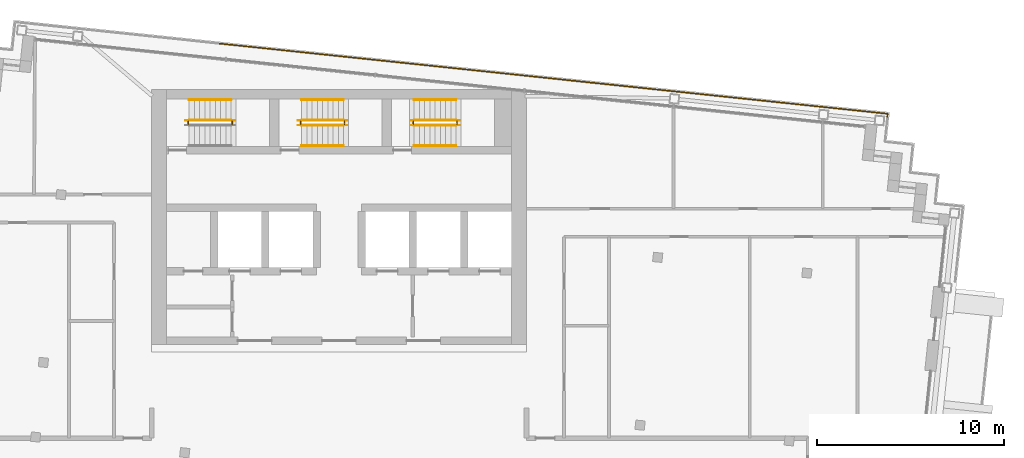
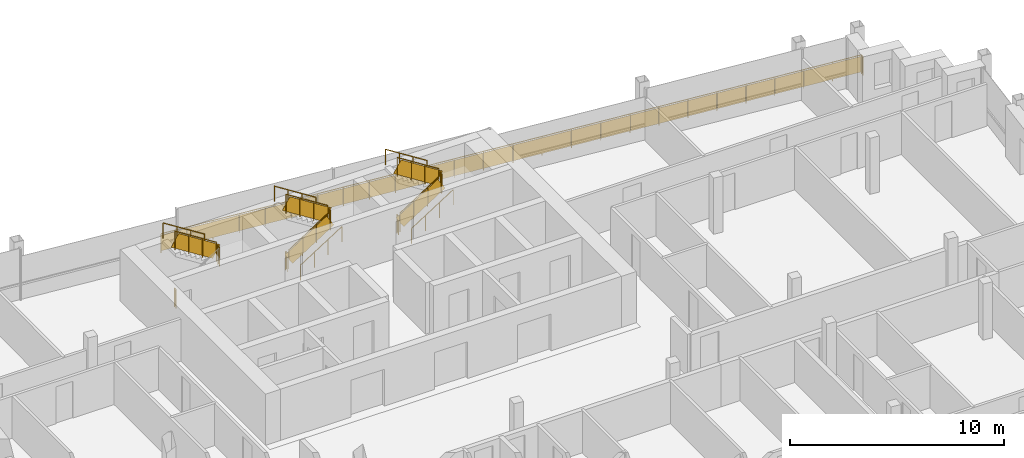
# One storey, part 16 of 17: 19 railings.
"""IFC4 building model written with IfcOpenShell, lengths in metres."""

from ifc_helpers import new_model, si_unit, direction, frame, origin, origin_2d, place, context, subcontext, project, spatial, rectangle, circle, extrude, material, type_object, element, save


model = new_model("IFC4")

# Units and contexts
model_context = context("Model", 3, precision=1e-05, world=origin(), true_north=direction((0.0, 1.0)))
body_context = subcontext(model_context, "Body", "Model", "MODEL_VIEW")
ifc_project = project(units=[si_unit("LENGTHUNIT", "METRE"), si_unit("AREAUNIT", "SQUARE_METRE"), si_unit("VOLUMEUNIT", "CUBIC_METRE"), si_unit("PLANEANGLEUNIT", "RADIAN"), si_unit("MASSUNIT", "GRAM", prefix="KILO")], contexts=[model_context])

# Site, building, storey
site_placement = place(None, origin())
site = spatial("IfcSite", under=ifc_project, at=site_placement, CompositionType="ELEMENT")
building_placement = place(site_placement, origin())
building = spatial("IfcBuilding", under=site, at=building_placement, Name="Vidyagriha Tower", CompositionType="ELEMENT")
storey_placement = place(building_placement, frame((0.0, 0.0, 262.699951171875)))
storey = spatial("IfcBuildingStorey", under=building, at=storey_placement, Name="L68", CompositionType="ELEMENT", Elevation=262.699951171875)

# Railings
ifc_material_1 = material(Name="Steel ASTM A500 Grade C black painted", Category="steel")
railing_type_1 = type_object("IfcRailingType", Name="Gallery guard 1100", PredefinedType="GUARDRAIL", material=ifc_material_1)
railing_1_placement = place(storey_placement, frame((-6.382080078125, 22.45068359375, 0.0)))
element("IfcRailing", 1, at=railing_1_placement, inside=storey, type_object=railing_type_1, Name="Gallery guard L68 6", PredefinedType="GUARDRAIL", context=body_context, shape_type="SweptSolid", body=[
    extrude(circle(Radius=0.02490234375, at=origin_2d()), frame((0.0, 0.0, 1.0751953125), z_axis=(0.994523609071, -0.104512157188, 0.0), x_axis=(0.104512157188, 0.994523609071, 0.0)), (0.0, 0.0, 1.0), 12.0),
    extrude(circle(Radius=0.02001953125, at=origin_2d()), origin(), (0.0, 0.0, 1.0), 1.050048828125),
    extrude(circle(Radius=0.02001953125, at=origin_2d()), frame((1.325927734375, -0.139404296875, 0.0)), (0.0, 0.0, 1.0), 1.050048828125),
    extrude(circle(Radius=0.02001953125, at=origin_2d()), frame((2.652099609375, -0.27880859375, 0.0)), (0.0, 0.0, 1.0), 1.050048828125),
    extrude(circle(Radius=0.02001953125, at=origin_2d()), frame((3.97802734375, -0.41796875, 0.0)), (0.0, 0.0, 1.0), 1.050048828125),
    extrude(circle(Radius=0.02001953125, at=origin_2d()), frame((5.30419921875, -0.557373046875, 0.0)), (0.0, 0.0, 1.0), 1.050048828125),
    extrude(circle(Radius=0.02001953125, at=origin_2d()), frame((6.630126953125, -0.69677734375, 0.0)), (0.0, 0.0, 1.0), 1.050048828125),
    extrude(circle(Radius=0.02001953125, at=origin_2d()), frame((7.956298828125, -0.836181640625, 0.0)), (0.0, 0.0, 1.0), 1.050048828125),
    extrude(circle(Radius=0.02001953125, at=origin_2d()), frame((9.2822265625, -0.975341796875, 0.0)), (0.0, 0.0, 1.0), 1.050048828125),
    extrude(circle(Radius=0.02001953125, at=origin_2d()), frame((10.6083984375, -1.11474609375, 0.0)), (0.0, 0.0, 1.0), 1.050048828125),
    extrude(circle(Radius=0.02001953125, at=origin_2d()), frame((11.934326171875, -1.254150390625, 0.0)), (0.0, 0.0, 1.0), 1.050048828125),
    extrude(rectangle(XDim=0.010009765625, YDim=0.900146484375, at=origin_2d()), frame((0.0, 0.0, 0.550048828125), z_axis=(0.994523609071, -0.104512157188, 0.0), x_axis=(0.104512157188, 0.994523609071, 0.0)), (0.0, 0.0, 1.0), 12.0),
])
railing_2_placement = place(storey_placement, frame((5.55224609375, 21.196533203125, 0.0)))
element("IfcRailing", 2, at=railing_2_placement, inside=storey, type_object=railing_type_1, Name="Gallery guard L68 7", PredefinedType="GUARDRAIL", context=body_context, shape_type="SweptSolid", body=[
    extrude(circle(Radius=0.02490234375, at=origin_2d()), frame((0.0, 0.0, 1.0751953125), z_axis=(0.994521271903, -0.104534394972, 0.0), x_axis=(0.104534394972, 0.994521271903, 0.0)), (0.0, 0.0, 1.0), 11.999755859375),
    extrude(circle(Radius=0.02001953125, at=origin_2d()), origin(), (0.0, 0.0, 1.0), 1.050048828125),
    extrude(circle(Radius=0.02001953125, at=origin_2d()), frame((1.49169921875, -0.15673828125, 0.0)), (0.0, 0.0, 1.0), 1.050048828125),
    extrude(circle(Radius=0.02001953125, at=origin_2d()), frame((2.9833984375, -0.3134765625, 0.0)), (0.0, 0.0, 1.0), 1.050048828125),
    extrude(circle(Radius=0.02001953125, at=origin_2d()), frame((4.475341796875, -0.470458984375, 0.0)), (0.0, 0.0, 1.0), 1.050048828125),
    extrude(circle(Radius=0.02001953125, at=origin_2d()), frame((5.967041015625, -0.627197265625, 0.0)), (0.0, 0.0, 1.0), 1.050048828125),
    extrude(circle(Radius=0.02001953125, at=origin_2d()), frame((7.458740234375, -0.783935546875, 0.0)), (0.0, 0.0, 1.0), 1.050048828125),
    extrude(circle(Radius=0.02001953125, at=origin_2d()), frame((8.95068359375, -0.94091796875, 0.0)), (0.0, 0.0, 1.0), 1.050048828125),
    extrude(circle(Radius=0.02001953125, at=origin_2d()), frame((10.4423828125, -1.09765625, 0.0)), (0.0, 0.0, 1.0), 1.050048828125),
    extrude(circle(Radius=0.02001953125, at=origin_2d()), frame((11.93408203125, -1.25439453125, 0.0)), (0.0, 0.0, 1.0), 1.050048828125),
    extrude(rectangle(XDim=0.010009765625, YDim=0.900146484375, at=origin_2d()), frame((0.0, 0.0, 0.550048828125), z_axis=(0.994521271903, -0.104534394972, 0.0), x_axis=(0.104534394972, 0.994521271903, 0.0)), (0.0, 0.0, 1.0), 11.999755859375),
])
railing_3_placement = place(storey_placement, frame((17.486328125, 19.942138671875, 0.0)))
element("IfcRailing", 3, at=railing_3_placement, inside=storey, type_object=railing_type_1, Name="Gallery guard L68 8", PredefinedType="GUARDRAIL", context=body_context, shape_type="SweptSolid", body=[
    extrude(circle(Radius=0.02490234375, at=origin_2d()), frame((0.0, 0.0, 1.0751953125), z_axis=(0.994522500633, -0.104522704396, 0.0), x_axis=(0.104522704396, 0.994522500633, 0.0)), (0.0, 0.0, 1.0), 11.840087890625),
    extrude(circle(Radius=0.02490234375, at=origin_2d()), frame((11.775146484375, -1.237548828125, 1.0751953125), z_axis=(-0.105240535143, -0.994446795843, 0.0), x_axis=(0.994446795843, -0.105240535143, 0.0)), (0.0, 0.0, 1.0), 0.16015625),
    extrude(circle(Radius=0.02001953125, at=origin_2d()), origin(), (0.0, 0.0, 1.0), 1.050048828125),
    extrude(circle(Radius=0.02001953125, at=origin_2d()), frame((1.471923828125, -0.15478515625, 0.0)), (0.0, 0.0, 1.0), 1.050048828125),
    extrude(circle(Radius=0.02001953125, at=origin_2d()), frame((2.94384765625, -0.309326171875, 0.0)), (0.0, 0.0, 1.0), 1.050048828125),
    extrude(circle(Radius=0.02001953125, at=origin_2d()), frame((4.415771484375, -0.464111328125, 0.0)), (0.0, 0.0, 1.0), 1.050048828125),
    extrude(circle(Radius=0.02001953125, at=origin_2d()), frame((5.8876953125, -0.61865234375, 0.0)), (0.0, 0.0, 1.0), 1.050048828125),
    extrude(circle(Radius=0.02001953125, at=origin_2d()), frame((7.359375, -0.7734375, 0.0)), (0.0, 0.0, 1.0), 1.050048828125),
    extrude(circle(Radius=0.02001953125, at=origin_2d()), frame((8.831298828125, -0.92822265625, 0.0)), (0.0, 0.0, 1.0), 1.050048828125),
    extrude(circle(Radius=0.02001953125, at=origin_2d()), frame((10.30322265625, -1.082763671875, 0.0)), (0.0, 0.0, 1.0), 1.050048828125),
    extrude(circle(Radius=0.02001953125, at=origin_2d()), frame((11.775146484375, -1.237548828125, 0.0)), (0.0, 0.0, 1.0), 1.050048828125),
    extrude(circle(Radius=0.02001953125, at=origin_2d()), frame((11.75830078125, -1.396728515625, 0.0)), (0.0, 0.0, 1.0), 1.050048828125),
    extrude(rectangle(XDim=0.010009765625, YDim=0.900146484375, at=origin_2d()), frame((0.0, 0.0, 0.550048828125), z_axis=(0.994522500633, -0.104522704396, 0.0), x_axis=(0.104522704396, 0.994522500633, 0.0)), (0.0, 0.0, 1.0), 11.840087890625),
    extrude(rectangle(XDim=0.010009765625, YDim=0.900146484375, at=origin_2d()), frame((11.775146484375, -1.237548828125, 0.550048828125), z_axis=(-0.105240535143, -0.994446795843, 0.0), x_axis=(0.994446795843, -0.105240535143, 0.0)), (0.0, 0.0, 1.0), 0.16015625),
])
ifc_material_2 = material(Name="Steel ASTM A500 Grade C", Category="steel")
railing_type_2 = type_object("IfcRailingType", Name="Stair guard 1100 mm, steel balustrade", PredefinedType="GUARDRAIL", material=ifc_material_2)
railing_4_placement = place(storey_placement, frame((-5.7099609375, 18.14990234375, 1.60009765625)))
element("IfcRailing", 4, at=railing_4_placement, inside=storey, type_object=railing_type_2, Name="L68 ST1 stair guard 2", PredefinedType="GUARDRAIL", context=body_context, shape_type="SweptSolid", body=[
    extrude(circle(Radius=0.02392578125, at=origin_2d()), frame((0.0, 0.0, 1.076171875), z_axis=(0.0, 1.0, 0.0), x_axis=(-1.0, 0.0, 0.0)), (0.0, 0.0, 1.0), 0.150146484375),
    extrude(circle(Radius=0.02099609375, at=origin_2d()), origin(), (0.0, 0.0, 1.0), 1.052001953125),
    extrude(circle(Radius=0.02099609375, at=origin_2d()), frame((0.0, 0.150146484375, 0.0)), (0.0, 0.0, 1.0), 1.052001953125),
    extrude(rectangle(XDim=0.010009765625, YDim=0.902099609375, at=origin_2d()), frame((0.0, 0.0, 0.551025390625), z_axis=(0.0, 1.0, 0.0), x_axis=(-1.0, 0.0, 0.0)), (0.0, 0.0, 1.0), 0.150146484375),
])
railing_5_placement = place(storey_placement, frame((-5.760009765625, 18.35009765625, 1.77783203125)))
element("IfcRailing", 5, at=railing_5_placement, inside=storey, type_object=railing_type_2, Name="L68 ST1 stair guard 3", PredefinedType="GUARDRAIL", context=body_context, shape_type="SweptSolid", body=[
    extrude(circle(Radius=0.02392578125, at=origin_2d()), frame((0.0, 0.0, 1.076171875), z_axis=(-0.8442293374, 0.0, 0.53598211339), x_axis=(0.0, -1.0, 0.0)), (0.0, 0.0, 1.0), 2.6533203125),
    extrude(circle(Radius=0.02099609375, at=origin_2d()), origin(), (0.0, 0.0, 1.0), 1.052001953125),
    extrude(circle(Radius=0.02099609375, at=origin_2d()), frame((-0.74658203125, 0.0, 0.47412109375)), (0.0, 0.0, 1.0), 1.052001953125),
    extrude(circle(Radius=0.02099609375, at=origin_2d()), frame((-1.493408203125, 0.0, 0.947998046875)), (0.0, 0.0, 1.0), 1.052001953125),
    extrude(circle(Radius=0.02099609375, at=origin_2d()), frame((-2.239990234375, 0.0, 1.422119140625)), (0.0, 0.0, 1.0), 1.052001953125),
    extrude(rectangle(XDim=0.010009765625, YDim=0.761474609375, at=origin_2d()), frame((0.0, 0.0, 0.551025390625), z_axis=(-0.8442293374, 0.0, 0.53598211339), x_axis=(0.0, -1.0, 0.0)), (0.0, 0.0, 1.0), 2.6533203125),
])
railing_6_placement = place(storey_placement, frame((-8.050048828125, 18.14990234375, 0.0)))
element("IfcRailing", 6, at=railing_6_placement, inside=storey, type_object=railing_type_2, Name="L68 ST1 stair guard 4", PredefinedType="GUARDRAIL", context=body_context, shape_type="SweptSolid", body=[
    extrude(circle(Radius=0.02392578125, at=origin_2d()), frame((0.0, 0.0, 1.076171875), z_axis=(0.0, 1.0, 0.0), x_axis=(-1.0, 0.0, 0.0)), (0.0, 0.0, 1.0), 0.150146484375),
    extrude(circle(Radius=0.02099609375, at=origin_2d()), origin(), (0.0, 0.0, 1.0), 1.052001953125),
    extrude(circle(Radius=0.02099609375, at=origin_2d()), frame((0.0, 0.150146484375, 0.0)), (0.0, 0.0, 1.0), 1.052001953125),
    extrude(rectangle(XDim=0.010009765625, YDim=0.902099609375, at=origin_2d()), frame((0.0, 0.0, 0.551025390625), z_axis=(0.0, 1.0, 0.0), x_axis=(-1.0, 0.0, 0.0)), (0.0, 0.0, 1.0), 0.150146484375),
])
railing_7_placement = place(storey_placement, frame((-2.0, 18.10009765625, 0.177734375)))
element("IfcRailing", 7, at=railing_7_placement, inside=storey, type_object=railing_type_2, Name="L68 ST2 stair guard 1", PredefinedType="GUARDRAIL", context=body_context, shape_type="SweptSolid", body=[
    extrude(circle(Radius=0.02392578125, at=origin_2d()), frame((0.0, 0.0, 1.076171875), z_axis=(0.84418770128, 0.0, 0.536047689118), x_axis=(0.0, 1.0, 0.0)), (0.0, 0.0, 1.0), 2.6533203125),
    extrude(circle(Radius=0.02099609375, at=origin_2d()), origin(), (0.0, 0.0, 1.0), 1.052001953125),
    extrude(circle(Radius=0.02099609375, at=origin_2d()), frame((0.74658203125, 0.0, 0.47412109375)), (0.0, 0.0, 1.0), 1.052001953125),
    extrude(circle(Radius=0.02099609375, at=origin_2d()), frame((1.493408203125, 0.0, 0.9482421875)), (0.0, 0.0, 1.0), 1.052001953125),
    extrude(circle(Radius=0.02099609375, at=origin_2d()), frame((2.239990234375, 0.0, 1.42236328125)), (0.0, 0.0, 1.0), 1.052001953125),
    extrude(rectangle(XDim=0.010009765625, YDim=0.761474609375, at=origin_2d()), frame((0.0, 0.0, 0.551025390625), z_axis=(0.84418770128, 0.0, 0.536047689118), x_axis=(0.0, 1.0, 0.0)), (0.0, 0.0, 1.0), 2.6533203125),
])
railing_8_placement = place(storey_placement, frame((0.2900390625, 18.14990234375, 1.60009765625)))
element("IfcRailing", 8, at=railing_8_placement, inside=storey, type_object=railing_type_2, Name="L68 ST2 stair guard 2", PredefinedType="GUARDRAIL", context=body_context, shape_type="SweptSolid", body=[
    extrude(circle(Radius=0.02392578125, at=origin_2d()), frame((0.0, 0.0, 1.076171875), z_axis=(0.0, 1.0, 0.0), x_axis=(-1.0, 0.0, 0.0)), (0.0, 0.0, 1.0), 0.150146484375),
    extrude(circle(Radius=0.02099609375, at=origin_2d()), origin(), (0.0, 0.0, 1.0), 1.052001953125),
    extrude(circle(Radius=0.02099609375, at=origin_2d()), frame((0.0, 0.150146484375, 0.0)), (0.0, 0.0, 1.0), 1.052001953125),
    extrude(rectangle(XDim=0.010009765625, YDim=0.902099609375, at=origin_2d()), frame((0.0, 0.0, 0.551025390625), z_axis=(0.0, 1.0, 0.0), x_axis=(-1.0, 0.0, 0.0)), (0.0, 0.0, 1.0), 0.150146484375),
])
railing_9_placement = place(storey_placement, frame((0.239990234375, 18.35009765625, 1.77783203125)))
element("IfcRailing", 9, at=railing_9_placement, inside=storey, type_object=railing_type_2, Name="L68 ST2 stair guard 3", PredefinedType="GUARDRAIL", context=body_context, shape_type="SweptSolid", body=[
    extrude(circle(Radius=0.02392578125, at=origin_2d()), frame((0.0, 0.0, 1.076171875), z_axis=(-0.8442293374, 0.0, 0.53598211339), x_axis=(0.0, -1.0, 0.0)), (0.0, 0.0, 1.0), 2.6533203125),
    extrude(circle(Radius=0.02099609375, at=origin_2d()), origin(), (0.0, 0.0, 1.0), 1.052001953125),
    extrude(circle(Radius=0.02099609375, at=origin_2d()), frame((-0.74658203125, 0.0, 0.47412109375)), (0.0, 0.0, 1.0), 1.052001953125),
    extrude(circle(Radius=0.02099609375, at=origin_2d()), frame((-1.493408203125, 0.0, 0.947998046875)), (0.0, 0.0, 1.0), 1.052001953125),
    extrude(circle(Radius=0.02099609375, at=origin_2d()), frame((-2.239990234375, 0.0, 1.422119140625)), (0.0, 0.0, 1.0), 1.052001953125),
    extrude(rectangle(XDim=0.010009765625, YDim=0.761474609375, at=origin_2d()), frame((0.0, 0.0, 0.551025390625), z_axis=(-0.8442293374, 0.0, 0.53598211339), x_axis=(0.0, -1.0, 0.0)), (0.0, 0.0, 1.0), 2.6533203125),
])
railing_10_placement = place(storey_placement, frame((-2.050048828125, 18.14990234375, 0.0)))
element("IfcRailing", 10, at=railing_10_placement, inside=storey, type_object=railing_type_2, Name="L68 ST2 stair guard 4", PredefinedType="GUARDRAIL", context=body_context, shape_type="SweptSolid", body=[
    extrude(circle(Radius=0.02392578125, at=origin_2d()), frame((0.0, 0.0, 1.076171875), z_axis=(0.0, 1.0, 0.0), x_axis=(-1.0, 0.0, 0.0)), (0.0, 0.0, 1.0), 0.150146484375),
    extrude(circle(Radius=0.02099609375, at=origin_2d()), origin(), (0.0, 0.0, 1.0), 1.052001953125),
    extrude(circle(Radius=0.02099609375, at=origin_2d()), frame((0.0, 0.150146484375, 0.0)), (0.0, 0.0, 1.0), 1.052001953125),
    extrude(rectangle(XDim=0.010009765625, YDim=0.902099609375, at=origin_2d()), frame((0.0, 0.0, 0.551025390625), z_axis=(0.0, 1.0, 0.0), x_axis=(-1.0, 0.0, 0.0)), (0.0, 0.0, 1.0), 0.150146484375),
])
railing_11_placement = place(storey_placement, frame((4.0, 18.10009765625, 0.177734375)))
element("IfcRailing", 11, at=railing_11_placement, inside=storey, type_object=railing_type_2, Name="L68 ST3 stair guard 1", PredefinedType="GUARDRAIL", context=body_context, shape_type="SweptSolid", body=[
    extrude(circle(Radius=0.02392578125, at=origin_2d()), frame((0.0, 0.0, 1.076171875), z_axis=(0.84418770128, 0.0, 0.536047689118), x_axis=(0.0, 1.0, 0.0)), (0.0, 0.0, 1.0), 2.6533203125),
    extrude(circle(Radius=0.02099609375, at=origin_2d()), origin(), (0.0, 0.0, 1.0), 1.052001953125),
    extrude(circle(Radius=0.02099609375, at=origin_2d()), frame((0.74658203125, 0.0, 0.47412109375)), (0.0, 0.0, 1.0), 1.052001953125),
    extrude(circle(Radius=0.02099609375, at=origin_2d()), frame((1.493408203125, 0.0, 0.9482421875)), (0.0, 0.0, 1.0), 1.052001953125),
    extrude(circle(Radius=0.02099609375, at=origin_2d()), frame((2.239990234375, 0.0, 1.42236328125)), (0.0, 0.0, 1.0), 1.052001953125),
    extrude(rectangle(XDim=0.010009765625, YDim=0.761474609375, at=origin_2d()), frame((0.0, 0.0, 0.551025390625), z_axis=(0.84418770128, 0.0, 0.536047689118), x_axis=(0.0, 1.0, 0.0)), (0.0, 0.0, 1.0), 2.6533203125),
])
railing_12_placement = place(storey_placement, frame((6.2900390625, 18.14990234375, 1.60009765625)))
element("IfcRailing", 12, at=railing_12_placement, inside=storey, type_object=railing_type_2, Name="L68 ST3 stair guard 2", PredefinedType="GUARDRAIL", context=body_context, shape_type="SweptSolid", body=[
    extrude(circle(Radius=0.02392578125, at=origin_2d()), frame((0.0, 0.0, 1.076171875), z_axis=(0.0, 1.0, 0.0), x_axis=(-1.0, 0.0, 0.0)), (0.0, 0.0, 1.0), 0.150146484375),
    extrude(circle(Radius=0.02099609375, at=origin_2d()), origin(), (0.0, 0.0, 1.0), 1.052001953125),
    extrude(circle(Radius=0.02099609375, at=origin_2d()), frame((0.0, 0.150146484375, 0.0)), (0.0, 0.0, 1.0), 1.052001953125),
    extrude(rectangle(XDim=0.010009765625, YDim=0.902099609375, at=origin_2d()), frame((0.0, 0.0, 0.551025390625), z_axis=(0.0, 1.0, 0.0), x_axis=(-1.0, 0.0, 0.0)), (0.0, 0.0, 1.0), 0.150146484375),
])
railing_13_placement = place(storey_placement, frame((6.239990234375, 18.35009765625, 1.77783203125)))
element("IfcRailing", 13, at=railing_13_placement, inside=storey, type_object=railing_type_2, Name="L68 ST3 stair guard 3", PredefinedType="GUARDRAIL", context=body_context, shape_type="SweptSolid", body=[
    extrude(circle(Radius=0.02392578125, at=origin_2d()), frame((0.0, 0.0, 1.076171875), z_axis=(-0.8442293374, 0.0, 0.53598211339), x_axis=(0.0, -1.0, 0.0)), (0.0, 0.0, 1.0), 2.6533203125),
    extrude(circle(Radius=0.02099609375, at=origin_2d()), origin(), (0.0, 0.0, 1.0), 1.052001953125),
    extrude(circle(Radius=0.02099609375, at=origin_2d()), frame((-0.74658203125, 0.0, 0.47412109375)), (0.0, 0.0, 1.0), 1.052001953125),
    extrude(circle(Radius=0.02099609375, at=origin_2d()), frame((-1.493408203125, 0.0, 0.947998046875)), (0.0, 0.0, 1.0), 1.052001953125),
    extrude(circle(Radius=0.02099609375, at=origin_2d()), frame((-2.239990234375, 0.0, 1.422119140625)), (0.0, 0.0, 1.0), 1.052001953125),
    extrude(rectangle(XDim=0.010009765625, YDim=0.761474609375, at=origin_2d()), frame((0.0, 0.0, 0.551025390625), z_axis=(-0.8442293374, 0.0, 0.53598211339), x_axis=(0.0, -1.0, 0.0)), (0.0, 0.0, 1.0), 2.6533203125),
])
railing_14_placement = place(storey_placement, frame((3.949951171875, 18.14990234375, 0.0)))
element("IfcRailing", 14, at=railing_14_placement, inside=storey, type_object=railing_type_2, Name="L68 ST3 stair guard 4", PredefinedType="GUARDRAIL", context=body_context, shape_type="SweptSolid", body=[
    extrude(circle(Radius=0.02392578125, at=origin_2d()), frame((0.0, 0.0, 1.076171875), z_axis=(0.0, 1.0, 0.0), x_axis=(-1.0, 0.0, 0.0)), (0.0, 0.0, 1.0), 0.150146484375),
    extrude(circle(Radius=0.02099609375, at=origin_2d()), origin(), (0.0, 0.0, 1.0), 1.052001953125),
    extrude(circle(Radius=0.02099609375, at=origin_2d()), frame((0.0, 0.150146484375, 0.0)), (0.0, 0.0, 1.0), 1.052001953125),
    extrude(rectangle(XDim=0.010009765625, YDim=0.902099609375, at=origin_2d()), frame((0.0, 0.0, 0.551025390625), z_axis=(0.0, 1.0, 0.0), x_axis=(-1.0, 0.0, 0.0)), (0.0, 0.0, 1.0), 0.150146484375),
])
ifc_material_3 = material(Name="Steel ASTM A500 Grade C", Category="steel")
railing_type_3 = type_object("IfcRailingType", Name="Stair handrail 900 mm, steel", PredefinedType="HANDRAIL", material=ifc_material_3)
railing_15_placement = place(storey_placement, frame((-5.760009765625, 19.449951171875, 1.77783203125)))
element("IfcRailing", 15, at=railing_15_placement, inside=storey, type_object=railing_type_3, Name="L68 ST1 stair handrail 2", PredefinedType="HANDRAIL", context=body_context, shape_type="SweptSolid", body=[
    extrude(circle(Radius=0.02392578125, at=origin_2d()), frame((0.0, 0.0, 0.8759765625), z_axis=(-0.8442293374, 0.0, 0.53598211339), x_axis=(0.0, -1.0, 0.0)), (0.0, 0.0, 1.0), 2.6533203125),
    extrude(circle(Radius=0.02099609375, at=origin_2d()), origin(), (0.0, 0.0, 1.0), 0.851806640625),
    extrude(circle(Radius=0.02099609375, at=origin_2d()), frame((-0.74658203125, 0.0, 0.47412109375)), (0.0, 0.0, 1.0), 0.851806640625),
    extrude(circle(Radius=0.02099609375, at=origin_2d()), frame((-1.493408203125, 0.0, 0.947998046875)), (0.0, 0.0, 1.0), 0.851806640625),
    extrude(circle(Radius=0.02099609375, at=origin_2d()), frame((-2.239990234375, 0.0, 1.422119140625)), (0.0, 0.0, 1.0), 0.851806640625),
])
railing_16_placement = place(storey_placement, frame((-2.0, 17.0, 0.177734375)))
element("IfcRailing", 16, at=railing_16_placement, inside=storey, type_object=railing_type_3, Name="L68 ST2 stair handrail 1", PredefinedType="HANDRAIL", context=body_context, shape_type="SweptSolid", body=[
    extrude(circle(Radius=0.02392578125, at=origin_2d()), frame((0.0, 0.0, 0.8759765625), z_axis=(0.84418770128, 0.0, 0.536047689118), x_axis=(0.0, 1.0, 0.0)), (0.0, 0.0, 1.0), 2.6533203125),
    extrude(circle(Radius=0.02099609375, at=origin_2d()), origin(), (0.0, 0.0, 1.0), 0.851806640625),
    extrude(circle(Radius=0.02099609375, at=origin_2d()), frame((0.74658203125, 0.0, 0.47412109375)), (0.0, 0.0, 1.0), 0.851806640625),
    extrude(circle(Radius=0.02099609375, at=origin_2d()), frame((1.493408203125, 0.0, 0.9482421875)), (0.0, 0.0, 1.0), 0.851806640625),
    extrude(circle(Radius=0.02099609375, at=origin_2d()), frame((2.239990234375, 0.0, 1.42236328125)), (0.0, 0.0, 1.0), 0.851806640625),
])
railing_17_placement = place(storey_placement, frame((0.239990234375, 19.449951171875, 1.77783203125)))
element("IfcRailing", 17, at=railing_17_placement, inside=storey, type_object=railing_type_3, Name="L68 ST2 stair handrail 2", PredefinedType="HANDRAIL", context=body_context, shape_type="SweptSolid", body=[
    extrude(circle(Radius=0.02392578125, at=origin_2d()), frame((0.0, 0.0, 0.8759765625), z_axis=(-0.8442293374, 0.0, 0.53598211339), x_axis=(0.0, -1.0, 0.0)), (0.0, 0.0, 1.0), 2.6533203125),
    extrude(circle(Radius=0.02099609375, at=origin_2d()), origin(), (0.0, 0.0, 1.0), 0.851806640625),
    extrude(circle(Radius=0.02099609375, at=origin_2d()), frame((-0.74658203125, 0.0, 0.47412109375)), (0.0, 0.0, 1.0), 0.851806640625),
    extrude(circle(Radius=0.02099609375, at=origin_2d()), frame((-1.493408203125, 0.0, 0.947998046875)), (0.0, 0.0, 1.0), 0.851806640625),
    extrude(circle(Radius=0.02099609375, at=origin_2d()), frame((-2.239990234375, 0.0, 1.422119140625)), (0.0, 0.0, 1.0), 0.851806640625),
])
railing_18_placement = place(storey_placement, frame((4.0, 17.0, 0.177734375)))
element("IfcRailing", 18, at=railing_18_placement, inside=storey, type_object=railing_type_3, Name="L68 ST3 stair handrail 1", PredefinedType="HANDRAIL", context=body_context, shape_type="SweptSolid", body=[
    extrude(circle(Radius=0.02392578125, at=origin_2d()), frame((0.0, 0.0, 0.8759765625), z_axis=(0.84418770128, 0.0, 0.536047689118), x_axis=(0.0, 1.0, 0.0)), (0.0, 0.0, 1.0), 2.6533203125),
    extrude(circle(Radius=0.02099609375, at=origin_2d()), origin(), (0.0, 0.0, 1.0), 0.851806640625),
    extrude(circle(Radius=0.02099609375, at=origin_2d()), frame((0.74658203125, 0.0, 0.47412109375)), (0.0, 0.0, 1.0), 0.851806640625),
    extrude(circle(Radius=0.02099609375, at=origin_2d()), frame((1.493408203125, 0.0, 0.9482421875)), (0.0, 0.0, 1.0), 0.851806640625),
    extrude(circle(Radius=0.02099609375, at=origin_2d()), frame((2.239990234375, 0.0, 1.42236328125)), (0.0, 0.0, 1.0), 0.851806640625),
])
railing_19_placement = place(storey_placement, frame((6.239990234375, 19.449951171875, 1.77783203125)))
element("IfcRailing", 19, at=railing_19_placement, inside=storey, type_object=railing_type_3, Name="L68 ST3 stair handrail 2", PredefinedType="HANDRAIL", context=body_context, shape_type="SweptSolid", body=[
    extrude(circle(Radius=0.02392578125, at=origin_2d()), frame((0.0, 0.0, 0.8759765625), z_axis=(-0.8442293374, 0.0, 0.53598211339), x_axis=(0.0, -1.0, 0.0)), (0.0, 0.0, 1.0), 2.6533203125),
    extrude(circle(Radius=0.02099609375, at=origin_2d()), origin(), (0.0, 0.0, 1.0), 0.851806640625),
    extrude(circle(Radius=0.02099609375, at=origin_2d()), frame((-0.74658203125, 0.0, 0.47412109375)), (0.0, 0.0, 1.0), 0.851806640625),
    extrude(circle(Radius=0.02099609375, at=origin_2d()), frame((-1.493408203125, 0.0, 0.947998046875)), (0.0, 0.0, 1.0), 0.851806640625),
    extrude(circle(Radius=0.02099609375, at=origin_2d()), frame((-2.239990234375, 0.0, 1.422119140625)), (0.0, 0.0, 1.0), 0.851806640625),
])

save(model, "model.ifc")
